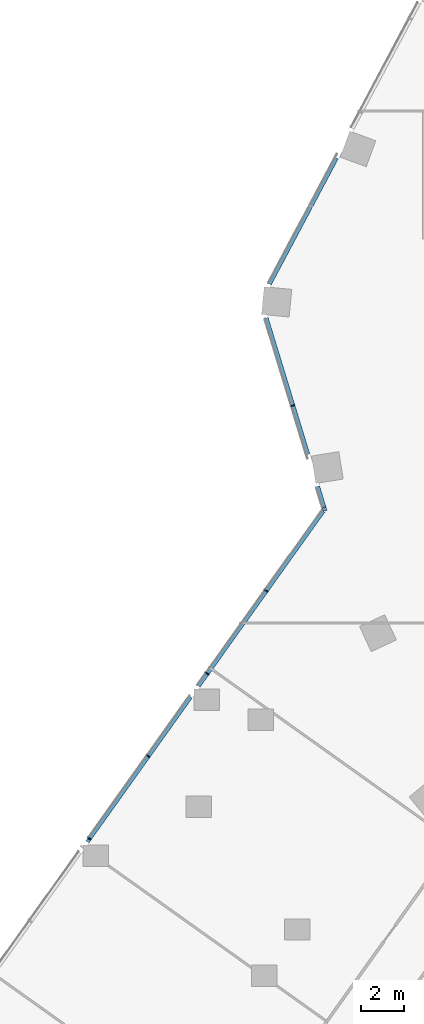
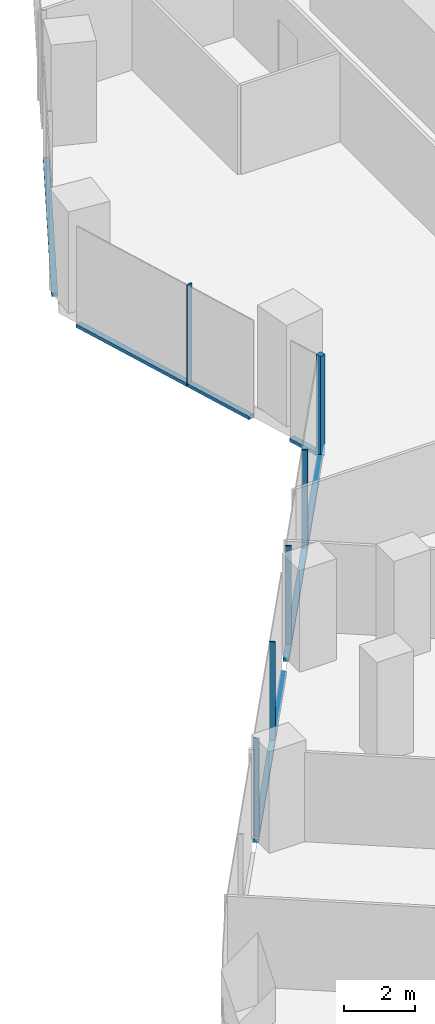
# One storey, part 7 of 31: 11 members, 3 elements without a shape of their own.
"""IFC4 building model written with IfcOpenShell, lengths in metres."""

from ifc_helpers import new_model, si_unit, direction, frame, origin, origin_2d, place, context, subcontext, project, spatial, rectangle, extrude, material, material_profile, profile_set, type_object, element, aggregate, save


model = new_model("IFC4")

# Units and contexts
model_context = context("Model", 3, precision=1e-05, world=origin(), true_north=direction((0.0, 1.0)))
body_context = subcontext(model_context, "Body", "Model", "MODEL_VIEW")
ifc_project = project(units=[si_unit("LENGTHUNIT", "METRE"), si_unit("AREAUNIT", "SQUARE_METRE"), si_unit("VOLUMEUNIT", "CUBIC_METRE"), si_unit("PLANEANGLEUNIT", "RADIAN"), si_unit("MASSUNIT", "GRAM", prefix="KILO")], contexts=[model_context])

# Site, building, storey
site_placement = place(None, origin())
site = spatial("IfcSite", under=ifc_project, at=site_placement, CompositionType="ELEMENT")
building_placement = place(site_placement, origin())
building = spatial("IfcBuilding", under=site, at=building_placement, Name="Orlundy Tower", CompositionType="ELEMENT")
storey_placement = place(building_placement, frame((0.0, 0.0, 84.199951171875)))
storey = spatial("IfcBuildingStorey", under=building, at=storey_placement, Name="L20", CompositionType="ELEMENT", Elevation=84.199951171875)

# Curtain wall, member
ifc_material_1 = material(Name="Aluminium bronze anodised", Category="aluminium")
curtain_wall_type = type_object("IfcCurtainWallType", Name="CW1 wall", PredefinedType="NOTDEFINED", material=ifc_material_1)
curtain_wall_1_placement = place(storey_placement, origin())
curtain_wall_1 = element("IfcCurtainWall", 1, at=curtain_wall_1_placement, inside=storey, type_object=curtain_wall_type, Name="CW1 run 01", PredefinedType="NOTDEFINED")
ifc_material_2 = material(Name="Aluminium bronze anodised", Category="aluminium")
ifc_material_profile_1 = material_profile(ifc_material_2, rectangle(XDim=0.179931640625, YDim=0.179931640625, at=origin_2d()), Name="CW1 corner post 180x180")
ifc_profile_set_1 = profile_set([ifc_material_profile_1], Name="Aluminium bronze anodised")
member_type_1 = type_object("IfcMemberType", Name="CW1 corner post 180x180", PredefinedType="MULLION", material=ifc_profile_set_1)
member_1_placement = place(storey_placement, frame((-29.427978515625, -6.660888671875, -0.39990234375), z_axis=(0.0, 0.0, 1.0), x_axis=(-0.956299228529, -0.292389783533, 0.0)))
member_1 = element("IfcMember", 2, at=member_1_placement, type_object=member_type_1, Name="CW1 mullion 7", PredefinedType="MULLION", context=body_context, shape_type="SweptSolid", body=[
    extrude(rectangle(XDim=0.179931640625, YDim=0.179931640625, at=origin_2d()), origin(), (0.0, 0.0, 1.0), 3.5),
])

# Curtain wall, members
curtain_wall_2_placement = place(storey_placement, origin())
curtain_wall_2 = element("IfcCurtainWall", 3, at=curtain_wall_2_placement, inside=storey, type_object=curtain_wall_type, Name="CW1 run 00", PredefinedType="NOTDEFINED")
ifc_material_3 = material(Name="Aluminium bronze anodised", Category="aluminium")
ifc_material_profile_2 = material_profile(ifc_material_3, rectangle(XDim=0.179931640625, YDim=0.050048828125, at=origin_2d()), Name="CW1 mullion 50x180")
ifc_profile_set_2 = profile_set([ifc_material_profile_2], Name="Aluminium bronze anodised")
member_type_2 = type_object("IfcMemberType", Name="CW1 mullion 50x180", PredefinedType="MULLION", material=ifc_profile_set_2)
member_2_placement = place(storey_placement, frame((-40.4482421875, -22.11083984375, -0.39990234375), z_axis=(0.0, 0.0, 1.0), x_axis=(-0.814116921316, 0.580700988829, 0.0)))
member_2 = element("IfcMember", 4, at=member_2_placement, type_object=member_type_2, Name="CW1 mullion 3", PredefinedType="MULLION", context=body_context, shape_type="SweptSolid", body=[
    extrude(rectangle(XDim=0.179931640625, YDim=0.050048828125, at=origin_2d()), origin(), (0.0, 0.0, 1.0), 3.5),
])
member_3_placement = place(storey_placement, frame((-37.686767578125, -18.2392578125, -0.39990234375), z_axis=(0.0, 0.0, 1.0), x_axis=(-0.814116921316, 0.580700988829, 0.0)))
member_3 = element("IfcMember", 5, at=member_3_placement, type_object=member_type_2, Name="CW1 mullion 4", PredefinedType="MULLION", context=body_context, shape_type="SweptSolid", body=[
    extrude(rectangle(XDim=0.179931640625, YDim=0.050048828125, at=origin_2d()), origin(), (0.0, 0.0, 1.0), 3.5),
])
member_4_placement = place(storey_placement, frame((-34.92529296875, -14.36767578125, -0.39990234375), z_axis=(0.0, 0.0, 1.0), x_axis=(-0.814116921316, 0.580700988829, 0.0)))
member_4 = element("IfcMember", 6, at=member_4_placement, type_object=member_type_2, Name="CW1 mullion 5", PredefinedType="MULLION", context=body_context, shape_type="SweptSolid", body=[
    extrude(rectangle(XDim=0.179931640625, YDim=0.050048828125, at=origin_2d()), origin(), (0.0, 0.0, 1.0), 3.5),
])
member_5_placement = place(storey_placement, frame((-32.163818359375, -10.496337890625, -0.39990234375), z_axis=(0.0, 0.0, 1.0), x_axis=(-0.814116921316, 0.580700988829, 0.0)))
member_5 = element("IfcMember", 7, at=member_5_placement, type_object=member_type_2, Name="CW1 mullion 6", PredefinedType="MULLION", context=body_context, shape_type="SweptSolid", body=[
    extrude(rectangle(XDim=0.179931640625, YDim=0.050048828125, at=origin_2d()), origin(), (0.0, 0.0, 1.0), 3.5),
])

# Member
member_6_placement = place(storey_placement, frame((-30.91162109375, -1.808837890625, -0.39990234375), z_axis=(0.0, 0.0, 1.0), x_axis=(-0.956299228529, -0.292389783533, 0.0)))
member_6 = element("IfcMember", 8, at=member_6_placement, type_object=member_type_2, Name="CW1 mullion 8", PredefinedType="MULLION", context=body_context, shape_type="SweptSolid", body=[
    extrude(rectangle(XDim=0.179931640625, YDim=0.050048828125, at=origin_2d()), origin(), (0.0, 0.0, 1.0), 3.5),
])

ifc_material_4 = material(Name="Aluminium bronze anodised", Category="aluminium")
ifc_material_profile_3 = material_profile(ifc_material_4, rectangle(XDim=0.179931640625, YDim=0.1201171875, at=origin_2d()), Name="CW1 transom 180x120")
ifc_profile_set_3 = profile_set([ifc_material_profile_3], Name="Aluminium bronze anodised")
member_type_3 = type_object("IfcMemberType", Name="CW1 transom 180x120", PredefinedType="USERDEFINED", material=ifc_profile_set_3)
member_7_placement = place(storey_placement, frame((-40.547607421875, -22.25, -0.33984375), z_axis=(0.580695047202, 0.814121159383, 0.0), x_axis=(-0.814121159383, 0.580695047202, 0.0)))
member_7 = element("IfcMember", 9, at=member_7_placement, type_object=member_type_3, Name="CW1 transom", ObjectType="TRANSOM", PredefinedType="USERDEFINED", context=body_context, shape_type="SweptSolid", body=[
    extrude(rectangle(XDim=0.179931640625, YDim=0.1201171875, at=origin_2d()), origin(), (0.0, 0.0, 1.0), 8.3359375),
])

member_8_placement = place(storey_placement, frame((-35.340576171875, -14.949951171875, -0.33984375), z_axis=(0.580701325073, 0.814116681477, 0.0), x_axis=(-0.814116681477, 0.580701325073, 0.0)))
member_8 = element("IfcMember", 10, at=member_8_placement, type_object=member_type_3, Name="CW1 transom", ObjectType="TRANSOM", PredefinedType="USERDEFINED", context=body_context, shape_type="SweptSolid", body=[
    extrude(rectangle(XDim=0.179931640625, YDim=0.1201171875, at=origin_2d()), origin(), (0.0, 0.0, 1.0), 10.068359375),
])

aggregate(curtain_wall_2, [member_2, member_3, member_4, member_5, member_7, member_8])

member_9_placement = place(storey_placement, frame((-29.454345703125, -6.57470703125, -0.33984375), z_axis=(-0.292491498348, 0.956268123172, 0.0), x_axis=(-0.956268123172, -0.292491498348, 0.0)))
member_9 = element("IfcMember", 11, at=member_9_placement, type_object=member_type_3, Name="CW1 transom", ObjectType="TRANSOM", PredefinedType="USERDEFINED", context=body_context, shape_type="SweptSolid", body=[
    extrude(rectangle(XDim=0.179931640625, YDim=0.1201171875, at=origin_2d()), origin(), (0.0, 0.0, 1.0), 1.0224609375),
])

member_10_placement = place(storey_placement, frame((-30.211181640625, -4.099853515625, -0.33984375), z_axis=(-0.292366048802, 0.956306485133, 0.0), x_axis=(-0.956306485133, -0.292366048802, 0.0)))
member_10 = element("IfcMember", 12, at=member_10_placement, type_object=member_type_3, Name="CW1 transom", ObjectType="TRANSOM", PredefinedType="USERDEFINED", context=body_context, shape_type="SweptSolid", body=[
    extrude(rectangle(XDim=0.179931640625, YDim=0.1201171875, at=origin_2d()), origin(), (0.0, 0.0, 1.0), 6.685302734375),
])

aggregate(curtain_wall_1, [member_1, member_6, member_9, member_10])

# Curtain wall, member
curtain_wall_3_placement = place(storey_placement, origin())
curtain_wall_3 = element("IfcCurtainWall", 13, at=curtain_wall_3_placement, inside=storey, type_object=curtain_wall_type, Name="CW1 run 02", PredefinedType="NOTDEFINED")
member_11_placement = place(storey_placement, frame((-32.012451171875, 3.885986328125, -0.33984375), z_axis=(0.469468302858, 0.882949326186, 0.0), x_axis=(-0.882949326186, 0.469468302858, 0.0)))
member_11 = element("IfcMember", 14, at=member_11_placement, type_object=member_type_3, Name="CW1 transom", ObjectType="TRANSOM", PredefinedType="USERDEFINED", context=body_context, shape_type="SweptSolid", body=[
    extrude(rectangle(XDim=0.179931640625, YDim=0.1201171875, at=origin_2d()), origin(), (0.0, 0.0, 1.0), 6.689208984375),
])
aggregate(curtain_wall_3, [member_11])

save(model, "model.ifc")
